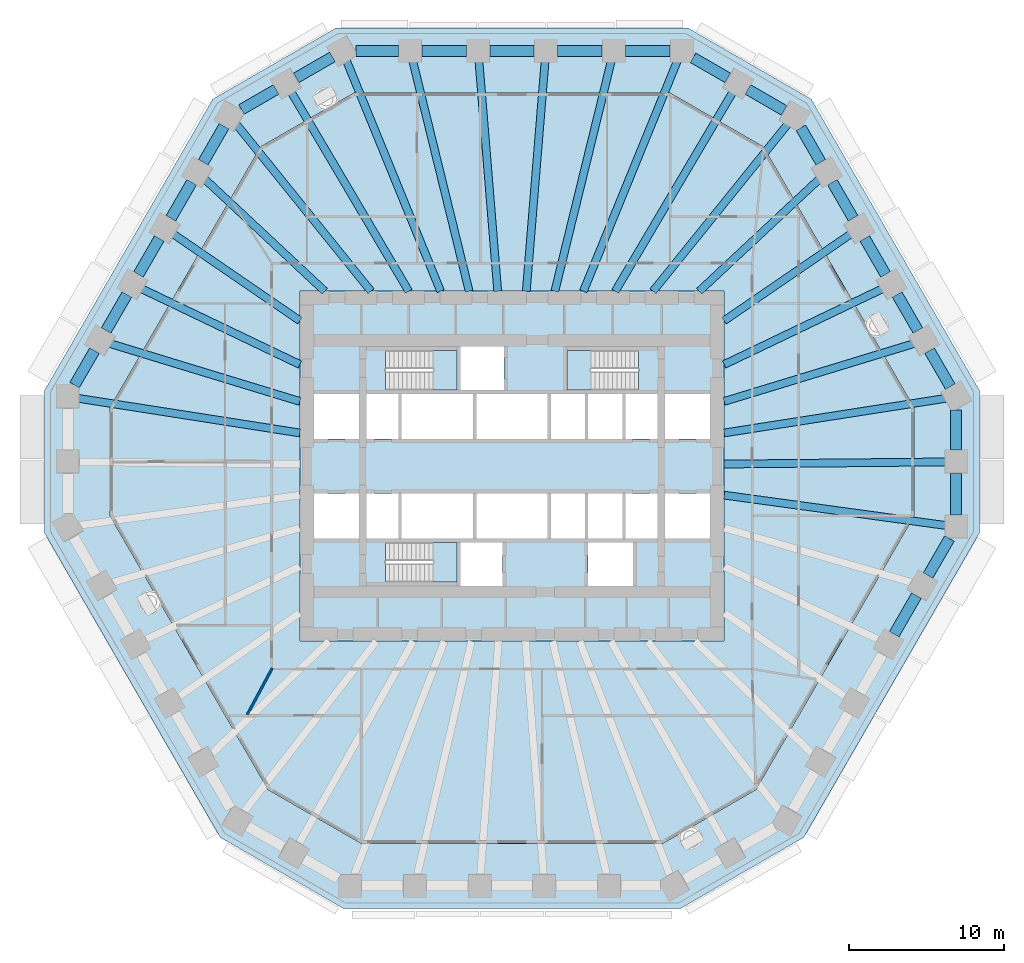
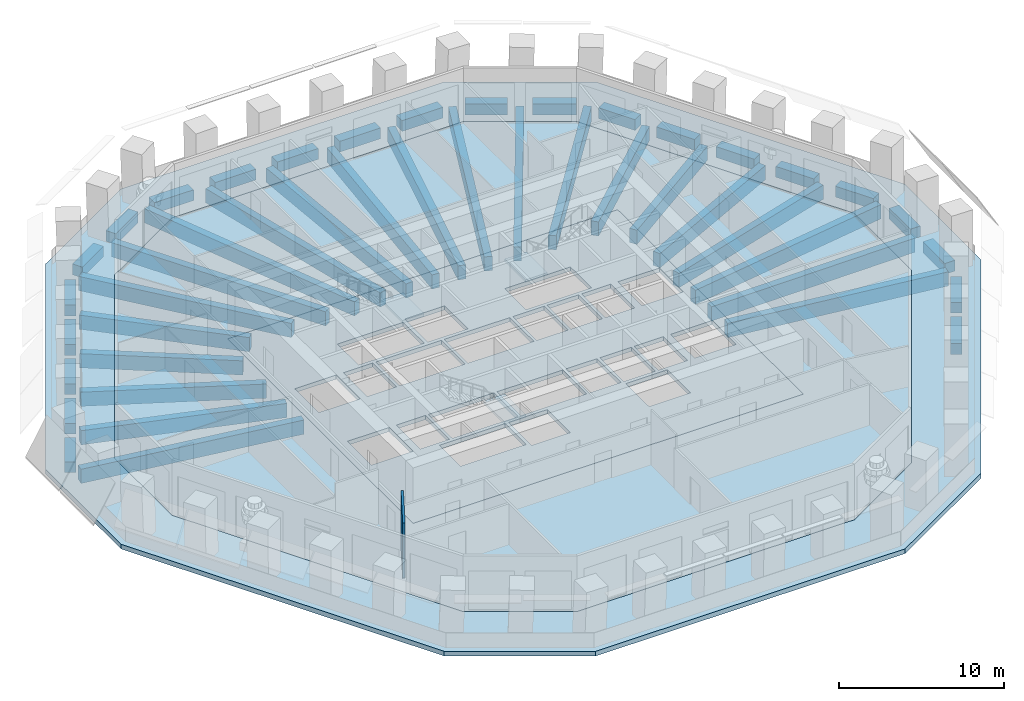
# One storey, part 2 of 13: 45 beams, 6 slabs, 1 wall, 3 elements without a shape of their own.
"""IFC4 building model written with IfcOpenShell, lengths in metres."""

from ifc_helpers import new_model, si_unit, direction, frame, frame_2d, origin, origin_2d, place, context, subcontext, project, spatial, polyline, rectangle, outline, extrude, material, layer, layer_set, material_profile, profile_set, type_object, element, aggregate, save


model = new_model("IFC4")

# Units and contexts
model_context = context("Model", 3, precision=1e-05, world=origin(), true_north=direction((0.0, 1.0)))
body_context = subcontext(model_context, "Body", "Model", "MODEL_VIEW")
ifc_project = project(units=[si_unit("LENGTHUNIT", "METRE"), si_unit("AREAUNIT", "SQUARE_METRE"), si_unit("VOLUMEUNIT", "CUBIC_METRE"), si_unit("PLANEANGLEUNIT", "RADIAN"), si_unit("MASSUNIT", "GRAM", prefix="KILO")], contexts=[model_context])

# Site, building, storey
site_placement = place(None, origin())
site = spatial("IfcSite", under=ifc_project, at=site_placement, CompositionType="ELEMENT")
building_placement = place(site_placement, origin())
building = spatial("IfcBuilding", under=site, at=building_placement, Name="Frailejon Research Tower", CompositionType="ELEMENT")
storey_placement = place(building_placement, frame((0.0, 0.0, 23.39990234375)))
storey = spatial("IfcBuildingStorey", under=building, at=storey_placement, Name="L05", CompositionType="ELEMENT", Elevation=23.39990234375)

# Beams
ifc_material_1 = material(Name="Concrete C60/75", Category="concrete")
ifc_material_profile_1 = material_profile(ifc_material_1, rectangle(XDim=0.5, YDim=1.050048828125, at=origin_2d()), Name="Girder 500x1050")
ifc_profile_set_1 = profile_set([ifc_material_profile_1], Name="Concrete C60/75")
beam_type_1 = type_object("IfcBeamType", Name="Girder 500x1050", PredefinedType="BEAM", material=ifc_profile_set_1)
beam_1_placement = place(storey_placement, frame((27.97119140625, -3.82861328125, -0.824951171875), z_axis=(-0.990762415749, 0.135609127788, 0.0), x_axis=(-0.135609127788, -0.990762415749, 0.0)))
element("IfcBeam", 1, at=beam_1_placement, inside=storey, type_object=beam_type_1, Name="Girder 500x1050", PredefinedType="BEAM", context=body_context, shape_type="SweptSolid", body=[
    extrude(rectangle(XDim=0.5, YDim=1.050048828125, at=origin_2d()), origin(), (0.0, 0.0, 1.0), 14.454833984375),
])
beam_2_placement = place(storey_placement, frame((27.972412109375, 0.270751953125, -0.824951171875), z_axis=(-0.99995313183, -0.009681639459, 0.0), x_axis=(0.009681639459, -0.99995313183, 0.0)))
element("IfcBeam", 2, at=beam_2_placement, inside=storey, type_object=beam_type_1, Name="Girder 500x1050", PredefinedType="BEAM", context=body_context, shape_type="SweptSolid", body=[
    extrude(rectangle(XDim=0.5, YDim=1.050048828125, at=origin_2d()), origin(), (0.0, 0.0, 1.0), 14.3232421875),
])
beam_3_placement = place(storey_placement, frame((27.92626953125, 4.363037109375, -0.824951171875), z_axis=(-0.988014288602, -0.154362448537, 0.0), x_axis=(0.154362448537, -0.988014288602, 0.0)))
element("IfcBeam", 3, at=beam_3_placement, inside=storey, type_object=beam_type_1, Name="Girder 500x1050", PredefinedType="BEAM", context=body_context, shape_type="SweptSolid", body=[
    extrude(rectangle(XDim=0.5, YDim=1.050048828125, at=origin_2d()), origin(), (0.0, 0.0, 1.0), 14.449462890625),
])
beam_4_placement = place(storey_placement, frame((25.8955078125, 7.89306640625, -0.824951171875), z_axis=(-0.95655416162, -0.291554687644, 0.0), x_axis=(0.291554687644, -0.95655416162, 0.0)))
element("IfcBeam", 4, at=beam_4_placement, inside=storey, type_object=beam_type_1, Name="Girder 500x1050", PredefinedType="BEAM", context=body_context, shape_type="SweptSolid", body=[
    extrude(rectangle(XDim=0.5, YDim=1.050048828125, at=origin_2d()), origin(), (0.0, 0.0, 1.0), 12.8017578125),
])
beam_5_placement = place(storey_placement, frame((23.861083984375, 11.42333984375, -0.824951171875), z_axis=(-0.901968467295, -0.431801903662, 0.0), x_axis=(0.431801903662, -0.901968467295, 0.0)))
element("IfcBeam", 5, at=beam_5_placement, inside=storey, type_object=beam_type_1, Name="Girder 500x1050", PredefinedType="BEAM", context=body_context, shape_type="SweptSolid", body=[
    extrude(rectangle(XDim=0.5, YDim=1.050048828125, at=origin_2d()), origin(), (0.0, 0.0, 1.0), 11.321044921875),
])
beam_6_placement = place(storey_placement, frame((21.823486328125, 14.95263671875, -0.824951171875), z_axis=(-0.824947478499, -0.565209392808, 0.0), x_axis=(0.565209392808, -0.824947478499, 0.0)))
element("IfcBeam", 6, at=beam_6_placement, inside=storey, type_object=beam_type_1, Name="Girder 500x1050", PredefinedType="BEAM", context=body_context, shape_type="SweptSolid", body=[
    extrude(rectangle(XDim=0.5, YDim=1.050048828125, at=origin_2d()), origin(), (0.0, 0.0, 1.0), 9.907958984375),
])
beam_7_placement = place(storey_placement, frame((19.783203125, 18.479736328125, -0.824951171875), z_axis=(-0.730763139586, -0.682631111086, 0.0), x_axis=(0.682631111086, -0.730763139586, 0.0)))
element("IfcBeam", 7, at=beam_7_placement, inside=storey, type_object=beam_type_1, Name="Girder 500x1050", PredefinedType="BEAM", context=body_context, shape_type="SweptSolid", body=[
    extrude(rectangle(XDim=0.5, YDim=1.050048828125, at=origin_2d()), origin(), (0.0, 0.0, 1.0), 10.591064453125),
])
beam_8_placement = place(storey_placement, frame((17.77001953125, 22.0380859375, -0.824951171875), z_axis=(-0.627693911193, -0.778460245518, 0.0), x_axis=(0.778460245518, -0.627693911193, 0.0)))
element("IfcBeam", 8, at=beam_8_placement, inside=storey, type_object=beam_type_1, Name="Girder 500x1050", PredefinedType="BEAM", context=body_context, shape_type="SweptSolid", body=[
    extrude(rectangle(XDim=0.5, YDim=1.050048828125, at=origin_2d()), origin(), (0.0, 0.0, 1.0), 13.858154296875),
])
beam_9_placement = place(storey_placement, frame((14.220703125, 24.089599609375, -0.824951171875), z_axis=(-0.508359098726, -0.861145183312, 0.0), x_axis=(0.861145183312, -0.508359098726, 0.0)))
element("IfcBeam", 9, at=beam_9_placement, inside=storey, type_object=beam_type_1, Name="Girder 500x1050", PredefinedType="BEAM", context=body_context, shape_type="SweptSolid", body=[
    extrude(rectangle(XDim=0.5, YDim=1.050048828125, at=origin_2d()), origin(), (0.0, 0.0, 1.0), 14.909912109375),
])
beam_10_placement = place(storey_placement, frame((10.649658203125, 26.0888671875, -0.824951171875), z_axis=(-0.377934036999, -0.925832524638, 0.0), x_axis=(0.925832524638, -0.377934036999, 0.0)))
element("IfcBeam", 10, at=beam_10_placement, inside=storey, type_object=beam_type_1, Name="Girder 500x1050", PredefinedType="BEAM", context=body_context, shape_type="SweptSolid", body=[
    extrude(rectangle(XDim=0.5, YDim=1.050048828125, at=origin_2d()), origin(), (0.0, 0.0, 1.0), 16.027587890625),
])
beam_11_placement = place(storey_placement, frame((6.3916015625, 26.095703125, -0.824951171875), z_axis=(-0.237902558202, -0.971289026398, 0.0), x_axis=(0.971289026398, -0.237902558202, 0.0)))
element("IfcBeam", 11, at=beam_11_placement, inside=storey, type_object=beam_type_1, Name="Girder 500x1050", PredefinedType="BEAM", context=body_context, shape_type="SweptSolid", body=[
    extrude(rectangle(XDim=0.5, YDim=1.050048828125, at=origin_2d()), origin(), (0.0, 0.0, 1.0), 15.284423828125),
])
for number, where, z_axis, x_axis, name in (
    (12, (2.130859375, 26.099609375, -0.824951171875), (-0.08137463311, -0.99668358524, 0.0), (0.99668358524, -0.08137463311, 0.0), "Girder 500x1050"),
    (13, (-2.130859375, 26.099609375, -0.824951171875), (0.08137463311, -0.99668358524, 0.0), (0.99668358524, 0.08137463311, 0.0), "Girder 500x1050"),
):
    element("IfcBeam", number, at=place(storey_placement, frame(where, z_axis=z_axis, x_axis=x_axis)), inside=storey, type_object=beam_type_1, Name=name, PredefinedType="BEAM", context=body_context, shape_type="SweptSolid", body=[
        extrude(rectangle(XDim=0.5, YDim=1.050048828125, at=origin_2d()), origin(), (0.0, 0.0, 1.0), 14.89892578125),
    ])
beam_12_placement = place(storey_placement, frame((-6.3916015625, 26.095703125, -0.824951171875), z_axis=(0.237902558202, -0.971289026398, 0.0), x_axis=(0.971289026398, 0.237902558202, 0.0)))
element("IfcBeam", 14, at=beam_12_placement, inside=storey, type_object=beam_type_1, Name="Girder 500x1050", PredefinedType="BEAM", context=body_context, shape_type="SweptSolid", body=[
    extrude(rectangle(XDim=0.5, YDim=1.050048828125, at=origin_2d()), origin(), (0.0, 0.0, 1.0), 15.284423828125),
])
beam_13_placement = place(storey_placement, frame((-10.669921875, 26.137939453125, -0.824951171875), z_axis=(0.3779463974, -0.925827478903, 0.0), x_axis=(0.925827478903, 0.3779463974, 0.0)))
element("IfcBeam", 15, at=beam_13_placement, inside=storey, type_object=beam_type_1, Name="Girder 500x1050", PredefinedType="BEAM", context=body_context, shape_type="SweptSolid", body=[
    extrude(rectangle(XDim=0.5, YDim=1.050048828125, at=origin_2d()), origin(), (0.0, 0.0, 1.0), 16.08056640625),
])
beam_14_placement = place(storey_placement, frame((-14.220703125, 24.089599609375, -0.824951171875), z_axis=(0.508359098726, -0.861145183312, 0.0), x_axis=(0.861145183312, 0.508359098726, 0.0)))
element("IfcBeam", 16, at=beam_14_placement, inside=storey, type_object=beam_type_1, Name="Girder 500x1050", PredefinedType="BEAM", context=body_context, shape_type="SweptSolid", body=[
    extrude(rectangle(XDim=0.5, YDim=1.050048828125, at=origin_2d()), origin(), (0.0, 0.0, 1.0), 14.909912109375),
])
beam_15_placement = place(storey_placement, frame((-17.74169921875, 22.00341796875, -0.824951171875), z_axis=(0.627677829299, -0.778473212517, 0.0), x_axis=(0.778473212517, 0.627677829299, 0.0)))
element("IfcBeam", 17, at=beam_15_placement, inside=storey, type_object=beam_type_1, Name="Girder 500x1050", PredefinedType="BEAM", context=body_context, shape_type="SweptSolid", body=[
    extrude(rectangle(XDim=0.5, YDim=1.050048828125, at=origin_2d()), origin(), (0.0, 0.0, 1.0), 13.8134765625),
])
beam_16_placement = place(storey_placement, frame((-19.783203125, 18.479736328125, -0.824951171875), z_axis=(0.730763139586, -0.682631111086, 0.0), x_axis=(0.682631111086, 0.730763139586, 0.0)))
element("IfcBeam", 18, at=beam_16_placement, inside=storey, type_object=beam_type_1, Name="Girder 500x1050", PredefinedType="BEAM", context=body_context, shape_type="SweptSolid", body=[
    extrude(rectangle(XDim=0.5, YDim=1.050048828125, at=origin_2d()), origin(), (0.0, 0.0, 1.0), 10.591064453125),
])
beam_17_placement = place(storey_placement, frame((-21.823486328125, 14.95263671875, -0.824951171875), z_axis=(0.824947478499, -0.565209392808, 0.0), x_axis=(0.565209392808, 0.824947478499, 0.0)))
element("IfcBeam", 19, at=beam_17_placement, inside=storey, type_object=beam_type_1, Name="Girder 500x1050", PredefinedType="BEAM", context=body_context, shape_type="SweptSolid", body=[
    extrude(rectangle(XDim=0.5, YDim=1.050048828125, at=origin_2d()), origin(), (0.0, 0.0, 1.0), 9.907958984375),
])
beam_18_placement = place(storey_placement, frame((-23.861083984375, 11.42333984375, -0.824951171875), z_axis=(0.901968467295, -0.431801903662, 0.0), x_axis=(0.431801903662, 0.901968467295, 0.0)))
element("IfcBeam", 20, at=beam_18_placement, inside=storey, type_object=beam_type_1, Name="Girder 500x1050", PredefinedType="BEAM", context=body_context, shape_type="SweptSolid", body=[
    extrude(rectangle(XDim=0.5, YDim=1.050048828125, at=origin_2d()), origin(), (0.0, 0.0, 1.0), 11.321044921875),
])
beam_19_placement = place(storey_placement, frame((-25.8955078125, 7.89306640625, -0.824951171875), z_axis=(0.95655416162, -0.291554687644, 0.0), x_axis=(0.291554687644, 0.95655416162, 0.0)))
element("IfcBeam", 21, at=beam_19_placement, inside=storey, type_object=beam_type_1, Name="Girder 500x1050", PredefinedType="BEAM", context=body_context, shape_type="SweptSolid", body=[
    extrude(rectangle(XDim=0.5, YDim=1.050048828125, at=origin_2d()), origin(), (0.0, 0.0, 1.0), 12.8017578125),
])
beam_20_placement = place(storey_placement, frame((-27.970703125, 4.3701171875, -0.824951171875), z_axis=(0.988012836579, -0.154371742085, 0.0), x_axis=(0.154371742085, 0.988012836579, 0.0)))
element("IfcBeam", 22, at=beam_20_placement, inside=storey, type_object=beam_type_1, Name="Girder 500x1050", PredefinedType="BEAM", context=body_context, shape_type="SweptSolid", body=[
    extrude(rectangle(XDim=0.5, YDim=1.050048828125, at=origin_2d()), origin(), (0.0, 0.0, 1.0), 14.49462890625),
])
ifc_material_2 = material(Name="Concrete C60/75", Category="concrete")
ifc_material_profile_2 = material_profile(ifc_material_2, rectangle(XDim=0.699951171875, YDim=0.800048828125, at=origin_2d()), Name="Spandrel 700x800")
ifc_profile_set_2 = profile_set([ifc_material_profile_2], Name="Concrete C60/75")
beam_type_2 = type_object("IfcBeamType", Name="Spandrel 700x800", PredefinedType="BEAM", material=ifc_profile_set_2)
beam_21_placement = place(storey_placement, frame((28.572509765625, -3.160888671875, -0.75), z_axis=(0.0, 1.0, 0.0), x_axis=(-1.0, 0.0, 0.0)))
element("IfcBeam", 23, at=beam_21_placement, inside=storey, type_object=beam_type_2, Name="Spandrel 700x800", PredefinedType="BEAM", context=body_context, shape_type="SweptSolid", body=[
    extrude(rectangle(XDim=0.699951171875, YDim=0.800048828125, at=origin_2d()), origin(), (0.0, 0.0, 1.0), 2.6875),
])
beam_22_placement = place(storey_placement, frame((28.572509765625, 1.026611328125, -0.75), z_axis=(0.0, 1.0, 0.0), x_axis=(-1.0, 0.0, 0.0)))
element("IfcBeam", 24, at=beam_22_placement, inside=storey, type_object=beam_type_2, Name="Spandrel 700x800", PredefinedType="BEAM", context=body_context, shape_type="SweptSolid", body=[
    extrude(rectangle(XDim=0.699951171875, YDim=0.800048828125, at=origin_2d()), origin(), (0.0, 0.0, 1.0), 2.571533203125),
])
beam_23_placement = place(storey_placement, frame((28.197509765625, 5.113525390625, -0.75), z_axis=(-0.500026055714, 0.866010359988, 0.0), x_axis=(-0.866010359988, -0.500026055714, 0.0)))
element("IfcBeam", 25, at=beam_23_placement, inside=storey, type_object=beam_type_2, Name="Spandrel 700x800", PredefinedType="BEAM", context=body_context, shape_type="SweptSolid", body=[
    extrude(rectangle(XDim=0.699951171875, YDim=0.800048828125, at=origin_2d()), origin(), (0.0, 0.0, 1.0), 2.668212890625),
])
for number, where, z_axis, x_axis, name in (
    (26, (26.11328125, 8.723388671875, -0.75), (-0.499997052475, 0.866027105532, 0.0), (-0.866027105532, -0.499997052475, 0.0), "Spandrel 700x800"),
    (27, (24.029296875, 12.3330078125, -0.75), (-0.499997052475, 0.866027105532, 0.0), (-0.866027105532, -0.499997052475, 0.0), "Spandrel 700x800"),
):
    element("IfcBeam", number, at=place(storey_placement, frame(where, z_axis=z_axis, x_axis=x_axis)), inside=storey, type_object=beam_type_2, Name=name, PredefinedType="BEAM", context=body_context, shape_type="SweptSolid", body=[
        extrude(rectangle(XDim=0.699951171875, YDim=0.800048828125, at=origin_2d()), origin(), (0.0, 0.0, 1.0), 2.66796875),
    ])
beam_24_placement = place(storey_placement, frame((21.9453125, 15.942626953125, -0.75), z_axis=(-0.499957431332, 0.866049979421, 0.0), x_axis=(-0.866049979421, -0.499957431332, 0.0)))
element("IfcBeam", 28, at=beam_24_placement, inside=storey, type_object=beam_type_2, Name="Spandrel 700x800", PredefinedType="BEAM", context=body_context, shape_type="SweptSolid", body=[
    extrude(rectangle(XDim=0.699951171875, YDim=0.800048828125, at=origin_2d()), origin(), (0.0, 0.0, 1.0), 2.668212890625),
])
beam_25_placement = place(storey_placement, frame((19.861328125, 19.55224609375, -0.75), z_axis=(-0.500017793695, 0.866015130346, 0.0), x_axis=(-0.866015130346, -0.500017793695, 0.0)))
element("IfcBeam", 29, at=beam_25_placement, inside=storey, type_object=beam_type_2, Name="Spandrel 700x800", PredefinedType="BEAM", context=body_context, shape_type="SweptSolid", body=[
    extrude(rectangle(XDim=0.699951171875, YDim=0.800048828125, at=origin_2d()), origin(), (0.0, 0.0, 1.0), 2.55224609375),
])
beam_26_placement = place(storey_placement, frame((17.502685546875, 22.887451171875, -0.75), z_axis=(-0.866020687897, 0.500008168067, 0.0), x_axis=(-0.500008168067, -0.866020687897, 0.0)))
element("IfcBeam", 30, at=beam_26_placement, inside=storey, type_object=beam_type_2, Name="Spandrel 700x800", PredefinedType="BEAM", context=body_context, shape_type="SweptSolid", body=[
    extrude(rectangle(XDim=0.699951171875, YDim=0.800048828125, at=origin_2d()), origin(), (0.0, 0.0, 1.0), 2.6875),
])
beam_27_placement = place(storey_placement, frame((13.876220703125, 24.981201171875, -0.75), z_axis=(-0.866008514048, 0.50002925274, 0.0), x_axis=(-0.50002925274, -0.866008514048, 0.0)))
element("IfcBeam", 31, at=beam_27_placement, inside=storey, type_object=beam_type_2, Name="Spandrel 700x800", PredefinedType="BEAM", context=body_context, shape_type="SweptSolid", body=[
    extrude(rectangle(XDim=0.699951171875, YDim=0.800048828125, at=origin_2d()), origin(), (0.0, 0.0, 1.0), 2.571533203125),
])
beam_28_placement = place(storey_placement, frame((10.149169921875, 26.699951171875, -0.75), z_axis=(-1.0, 0.0, 0.0), x_axis=(0.0, -1.0, 0.0)))
element("IfcBeam", 32, at=beam_28_placement, inside=storey, type_object=beam_type_2, Name="Spandrel 700x800", PredefinedType="BEAM", context=body_context, shape_type="SweptSolid", body=[
    extrude(rectangle(XDim=0.699951171875, YDim=0.800048828125, at=origin_2d()), origin(), (0.0, 0.0, 1.0), 2.859619140625),
])
beam_29_placement = place(storey_placement, frame((5.78955078125, 26.699951171875, -0.75), z_axis=(-1.0, 0.0, 0.0), x_axis=(0.0, -1.0, 0.0)))
element("IfcBeam", 33, at=beam_29_placement, inside=storey, type_object=beam_type_2, Name="Spandrel 700x800", PredefinedType="BEAM", context=body_context, shape_type="SweptSolid", body=[
    extrude(rectangle(XDim=0.699951171875, YDim=0.800048828125, at=origin_2d()), origin(), (0.0, 0.0, 1.0), 2.85986328125),
])
beam_30_placement = place(storey_placement, frame((1.4296875, 26.699951171875, -0.75), z_axis=(-1.0, 0.0, 0.0), x_axis=(0.0, -1.0, 0.0)))
element("IfcBeam", 34, at=beam_30_placement, inside=storey, type_object=beam_type_2, Name="Spandrel 700x800", PredefinedType="BEAM", context=body_context, shape_type="SweptSolid", body=[
    extrude(rectangle(XDim=0.699951171875, YDim=0.800048828125, at=origin_2d()), origin(), (0.0, 0.0, 1.0), 2.859375),
])
beam_31_placement = place(storey_placement, frame((-2.9296875, 26.699951171875, -0.75), z_axis=(-1.0, 0.0, 0.0), x_axis=(0.0, -1.0, 0.0)))
element("IfcBeam", 35, at=beam_31_placement, inside=storey, type_object=beam_type_2, Name="Spandrel 700x800", PredefinedType="BEAM", context=body_context, shape_type="SweptSolid", body=[
    extrude(rectangle(XDim=0.699951171875, YDim=0.800048828125, at=origin_2d()), origin(), (0.0, 0.0, 1.0), 2.85986328125),
])
beam_32_placement = place(storey_placement, frame((-7.28955078125, 26.699951171875, -0.75), z_axis=(-1.0, 0.0, 0.0), x_axis=(0.0, -1.0, 0.0)))
element("IfcBeam", 36, at=beam_32_placement, inside=storey, type_object=beam_type_2, Name="Spandrel 700x800", PredefinedType="BEAM", context=body_context, shape_type="SweptSolid", body=[
    extrude(rectangle(XDim=0.699951171875, YDim=0.800048828125, at=origin_2d()), origin(), (0.0, 0.0, 1.0), 2.74365234375),
])
beam_33_placement = place(storey_placement, frame((-11.548583984375, 26.324951171875, -0.75), z_axis=(-0.866043397086, -0.499968833392, 0.0), x_axis=(0.499968833392, -0.866043397086, 0.0)))
element("IfcBeam", 37, at=beam_33_placement, inside=storey, type_object=beam_type_2, Name="Spandrel 700x800", PredefinedType="BEAM", context=body_context, shape_type="SweptSolid", body=[
    extrude(rectangle(XDim=0.699951171875, YDim=0.800048828125, at=origin_2d()), origin(), (0.0, 0.0, 1.0), 2.687744140625),
])
beam_34_placement = place(storey_placement, frame((-15.17529296875, 24.231201171875, -0.75), z_axis=(-0.866008514048, -0.50002925274, 0.0), x_axis=(0.50002925274, -0.866008514048, 0.0)))
element("IfcBeam", 38, at=beam_34_placement, inside=storey, type_object=beam_type_2, Name="Spandrel 700x800", PredefinedType="BEAM", context=body_context, shape_type="SweptSolid", body=[
    extrude(rectangle(XDim=0.699951171875, YDim=0.800048828125, at=origin_2d()), origin(), (0.0, 0.0, 1.0), 2.571533203125),
])
beam_35_placement = place(storey_placement, frame((-18.52734375, 21.86279296875, -0.75), z_axis=(-0.499997052475, -0.866027105532, 0.0), x_axis=(0.866027105532, -0.499997052475, 0.0)))
element("IfcBeam", 39, at=beam_35_placement, inside=storey, type_object=beam_type_2, Name="Spandrel 700x800", PredefinedType="BEAM", context=body_context, shape_type="SweptSolid", body=[
    extrude(rectangle(XDim=0.699951171875, YDim=0.800048828125, at=origin_2d()), origin(), (0.0, 0.0, 1.0), 2.66796875),
])
beam_36_placement = place(storey_placement, frame((-20.611328125, 18.25341796875, -0.75), z_axis=(-0.499957431332, -0.866049979421, 0.0), x_axis=(0.866049979421, -0.499957431332, 0.0)))
element("IfcBeam", 40, at=beam_36_placement, inside=storey, type_object=beam_type_2, Name="Spandrel 700x800", PredefinedType="BEAM", context=body_context, shape_type="SweptSolid", body=[
    extrude(rectangle(XDim=0.699951171875, YDim=0.800048828125, at=origin_2d()), origin(), (0.0, 0.0, 1.0), 2.668212890625),
])
for number, where, z_axis, x_axis, name in (
    (41, (-22.6953125, 14.6435546875, -0.75), (-0.499997052475, -0.866027105532, 0.0), (0.866027105532, -0.499997052475, 0.0), "Spandrel 700x800"),
    (42, (-24.779296875, 11.033935546875, -0.75), (-0.499997052475, -0.866027105532, 0.0), (0.866027105532, -0.499997052475, 0.0), "Spandrel 700x800"),
):
    element("IfcBeam", number, at=place(storey_placement, frame(where, z_axis=z_axis, x_axis=x_axis)), inside=storey, type_object=beam_type_2, Name=name, PredefinedType="BEAM", context=body_context, shape_type="SweptSolid", body=[
        extrude(rectangle(XDim=0.699951171875, YDim=0.800048828125, at=origin_2d()), origin(), (0.0, 0.0, 1.0), 2.66796875),
    ])
beam_37_placement = place(storey_placement, frame((-26.86328125, 7.42431640625, -0.75), z_axis=(-0.500017793695, -0.866015130346, 0.0), x_axis=(0.866015130346, -0.500017793695, 0.0)))
element("IfcBeam", 43, at=beam_37_placement, inside=storey, type_object=beam_type_2, Name="Spandrel 700x800", PredefinedType="BEAM", context=body_context, shape_type="SweptSolid", body=[
    extrude(rectangle(XDim=0.699951171875, YDim=0.800048828125, at=origin_2d()), origin(), (0.0, 0.0, 1.0), 2.55224609375),
])
beam_38_placement = place(storey_placement, frame((24.587890625, -10.812744140625, -0.75), z_axis=(0.499958946799, 0.866049104564, 0.0), x_axis=(-0.866049104564, 0.499958946799, 0.0)))
element("IfcBeam", 44, at=beam_38_placement, inside=storey, type_object=beam_type_2, Name="Spandrel 700x800", PredefinedType="BEAM", context=body_context, shape_type="SweptSolid", body=[
    extrude(rectangle(XDim=0.699951171875, YDim=0.800048828125, at=origin_2d()), origin(), (0.0, 0.0, 1.0), 2.859619140625),
])
beam_39_placement = place(storey_placement, frame((26.767578125, -7.037109375, -0.75), z_axis=(0.499976631314, 0.866038895281, 0.0), x_axis=(-0.866038895281, 0.499976631314, 0.0)))
element("IfcBeam", 45, at=beam_39_placement, inside=storey, type_object=beam_type_2, Name="Spandrel 700x800", PredefinedType="BEAM", context=body_context, shape_type="SweptSolid", body=[
    extrude(rectangle(XDim=0.699951171875, YDim=0.800048828125, at=origin_2d()), origin(), (0.0, 0.0, 1.0), 2.743896484375),
])

# Slabs
ifc_material_3 = material(Name="Concrete C70/85", Category="concrete")
ifc_layer_1 = layer(ifc_material_3, 0.300048828125)
ifc_layer_set_1 = layer_set([ifc_layer_1], Name="Core floor slab 300 C70/85")
slab_type_1 = type_object("IfcSlabType", Name="Core floor slab 300 C70/85", PredefinedType="FLOOR", material=ifc_layer_set_1)
slab_1_placement = place(storey_placement, frame((0.0, 0.0, -0.2998046875)))
element("IfcSlab", 46, at=slab_1_placement, inside=storey, type_object=slab_type_1, Name="Core floor slab", PredefinedType="FLOOR", context=body_context, shape_type="SweptSolid", body=[
    extrude(outline(polyline([(13.64990234375, -11.25), (13.64990234375, 11.25), (-13.64990234375, 11.25), (-13.64990234375, -11.25), (13.64990234375, -11.25)]), holes=[polyline([(-9.85009765625, 1.75), (-9.85009765625, 4.64990234375), (-12.75, 4.64990234375), (-12.75, 1.75), (-9.85009765625, 1.75)]), polyline([(-7.300048828125, 1.75), (-7.300048828125, 4.64990234375), (-9.35009765625, 4.64990234375), (-9.35009765625, 1.75), (-7.300048828125, 1.75)]), polyline([(-2.5, 1.75), (-2.5, 4.64990234375), (-7.10009765625, 4.64990234375), (-7.10009765625, 1.75), (-2.5, 1.75)]), polyline([(2.300048828125, 1.75), (2.300048828125, 4.64990234375), (-2.300048828125, 4.64990234375), (-2.300048828125, 1.75), (2.300048828125, 1.75)]), polyline([(4.699951171875, 1.75), (4.699951171875, 4.64990234375), (2.5, 4.64990234375), (2.5, 1.75), (4.699951171875, 1.75)]), polyline([(7.10009765625, 1.75), (7.10009765625, 4.64990234375), (4.89990234375, 4.64990234375), (4.89990234375, 1.75), (7.10009765625, 1.75)]), polyline([(9.35009765625, 1.75), (9.35009765625, 4.64990234375), (7.300048828125, 4.64990234375), (7.300048828125, 1.75), (9.35009765625, 1.75)]), polyline([(12.75, 1.75), (12.75, 4.64990234375), (9.85009765625, 4.64990234375), (9.85009765625, 1.75), (12.75, 1.75)]), polyline([(-9.85009765625, -4.64990234375), (-9.85009765625, -1.75), (-12.75, -1.75), (-12.75, -4.64990234375), (-9.85009765625, -4.64990234375)]), polyline([(-7.300048828125, -4.64990234375), (-7.300048828125, -1.75), (-9.35009765625, -1.75), (-9.35009765625, -4.64990234375), (-7.300048828125, -4.64990234375)]), polyline([(-2.5, -4.64990234375), (-2.5, -1.75), (-7.10009765625, -1.75), (-7.10009765625, -4.64990234375), (-2.5, -4.64990234375)]), polyline([(2.300048828125, -4.64990234375), (2.300048828125, -1.75), (-2.300048828125, -1.75), (-2.300048828125, -4.64990234375), (2.300048828125, -4.64990234375)]), polyline([(4.699951171875, -4.64990234375), (4.699951171875, -1.75), (2.5, -1.75), (2.5, -4.64990234375), (4.699951171875, -4.64990234375)]), polyline([(7.10009765625, -4.64990234375), (7.10009765625, -1.75), (4.89990234375, -1.75), (4.89990234375, -4.64990234375), (7.10009765625, -4.64990234375)]), polyline([(9.35009765625, -4.64990234375), (9.35009765625, -1.75), (7.300048828125, -1.75), (7.300048828125, -4.64990234375), (9.35009765625, -4.64990234375)]), polyline([(12.75, -4.64990234375), (12.75, -1.75), (9.85009765625, -1.75), (9.85009765625, -4.64990234375), (12.75, -4.64990234375)]), polyline([(-8.14697265625, 4.89990234375), (-3.550048828125, 4.89990234375), (-3.550048828125, 7.449951171875), (-8.14697265625, 7.449951171875), (-8.14697265625, 4.89990234375)]), polyline([(-8.14697265625, -7.449951171875), (-3.550048828125, -7.449951171875), (-3.550048828125, -4.89990234375), (-8.14697265625, -4.89990234375), (-8.14697265625, -7.449951171875)]), polyline([(8.14697265625, 7.449951171875), (3.550048828125, 7.449951171875), (3.550048828125, 4.89990234375), (8.14697265625, 4.89990234375), (8.14697265625, 7.449951171875)]), polyline([(-0.60009765625, -7.699951171875), (-0.60009765625, -4.89990234375), (-3.300048828125, -4.89990234375), (-3.300048828125, -7.699951171875), (-0.60009765625, -7.699951171875)]), polyline([(7.800048828125, -7.699951171875), (7.800048828125, -4.89990234375), (4.89990234375, -4.89990234375), (4.89990234375, -7.699951171875), (7.800048828125, -7.699951171875)]), polyline([(-0.5, 4.89990234375), (-0.5, 7.699951171875), (-3.300048828125, 7.699951171875), (-3.300048828125, 4.89990234375), (-0.5, 4.89990234375)])]), origin(), (0.0, 0.0, 1.0), 0.2998046875),
])
ifc_material_4 = material(Name="Concrete C40/50", Category="concrete")
ifc_layer_2 = layer(ifc_material_4, 0.35009765625)
ifc_layer_set_2 = layer_set([ifc_layer_2], Name="Loggia slab 350")
slab_type_2 = type_object("IfcSlabType", Name="Loggia slab 350", PredefinedType="USERDEFINED", material=ifc_layer_set_2)
slab_2_placement = place(storey_placement, frame((0.0, 0.0, -0.349853515625)))
element("IfcSlab", 47, at=slab_2_placement, inside=storey, type_object=slab_type_2, Name="Loggia slab L05", ObjectType="LOGGIA", PredefinedType="USERDEFINED", context=body_context, shape_type="SweptSolid", body=[
    extrude(outline(polyline([(18.771484375, -23.88720703125), (10.822021484375, -28.4765625), (-10.822021484375, -28.4765625), (-18.771484375, -23.88720703125), (-30.072509765625, -4.31298828125), (-30.072509765625, 4.865966796875), (-19.25048828125, 23.610595703125), (-11.301025390625, 28.199951171875), (11.301025390625, 28.199951171875), (19.25048828125, 23.610595703125), (30.072509765625, 4.865966796875), (30.072509765625, -4.31298828125), (18.771484375, -23.88720703125)]), holes=[polyline([(25.87255859375, 3.74072265625), (16.17578125, 20.535888671875), (10.17578125, 24.0), (-10.17578125, 24.0), (-16.17578125, 20.535888671875), (-25.87255859375, 3.74072265625), (-25.87255859375, -3.1875), (-15.69677734375, -20.8125), (-9.69677734375, -24.276611328125), (9.69677734375, -24.276611328125), (15.69677734375, -20.8125), (25.87255859375, -3.1875), (25.87255859375, 3.74072265625)])]), origin(), (0.0, 0.0, 1.0), 0.349853515625),
])
ifc_material_5 = material(Name="Concrete C40/50", Category="concrete")
ifc_layer_3 = layer(ifc_material_5, 0.300048828125)
ifc_layer_set_3 = layer_set([ifc_layer_3], Name="Slab typical 300")
slab_type_3 = type_object("IfcSlabType", Name="Slab typical 300", PredefinedType="FLOOR", material=ifc_layer_set_3)
slab_3_placement = place(storey_placement, frame((0.0, 0.0, -0.2998046875)))
element("IfcSlab", 48, at=slab_3_placement, inside=storey, type_object=slab_type_3, Name="Floor slab L05", PredefinedType="FLOOR", context=body_context, shape_type="SweptSolid", body=[
    extrude(outline(polyline([(25.87255859375, -3.1875), (25.87255859375, 3.74072265625), (16.17578125, 20.535888671875), (10.17578125, 24.0), (-10.17578125, 24.0), (-16.17578125, 20.535888671875), (-25.87255859375, 3.74072265625), (-25.87255859375, -3.1875), (-15.69677734375, -20.8125), (-9.69677734375, -24.276611328125), (9.69677734375, -24.276611328125), (15.69677734375, -20.8125), (25.87255859375, -3.1875)]), holes=[polyline([(13.64990234375, -11.25), (-13.64990234375, -11.25), (-13.64990234375, 11.25), (13.64990234375, 11.25), (13.64990234375, -11.25)])]), origin(), (0.0, 0.0, 1.0), 0.2998046875),
])

# Stair, slab
ifc_material_6 = material(Name="Concrete C50/60", Category="concrete")
stair_type = type_object("IfcStairType", Name="Exit stair 24 risers", PredefinedType="HALF_TURN_STAIR", material=ifc_material_6)
stair_1_placement = place(storey_placement, origin())
stair_1 = element("IfcStair", 49, at=stair_1_placement, inside=storey, type_object=stair_type, Name="L05 Exit stair ST1", PredefinedType="HALF_TURN_STAIR")
ifc_material_7 = material(Name="Concrete C50/60", Category="concrete")
ifc_layer_4 = layer(ifc_material_7, 0.199951171875)
ifc_layer_set_4 = layer_set([ifc_layer_4], Name="Stair landing slab 200")
slab_type_4 = type_object("IfcSlabType", Name="Stair landing slab 200", PredefinedType="LANDING", material=ifc_layer_set_4)
slab_4_placement = place(storey_placement, frame((0.0, 0.0, 2.0)))
slab_4 = element("IfcSlab", 50, at=slab_4_placement, type_object=slab_type_4, Name="ST1 landing 1", PredefinedType="LANDING", context=body_context, shape_type="SweptSolid", body=[
    extrude(outline(polyline([(-5.070068359375, 4.89990234375), (-3.550048828125, 4.89990234375), (-3.550048828125, 7.449951171875), (-5.070068359375, 7.449951171875), (-5.070068359375, 4.89990234375)])), origin(), (0.0, 0.0, 1.0), 0.2001953125),
])
aggregate(stair_1, [slab_4])

stair_2_placement = place(storey_placement, origin())
stair_2 = element("IfcStair", 51, at=stair_2_placement, inside=storey, type_object=stair_type, Name="L05 Exit stair ST2", PredefinedType="HALF_TURN_STAIR")
slab_5_placement = place(storey_placement, frame((0.0, 0.0, 2.0)))
slab_5 = element("IfcSlab", 52, at=slab_5_placement, type_object=slab_type_4, Name="ST2 landing 1", PredefinedType="LANDING", context=body_context, shape_type="SweptSolid", body=[
    extrude(outline(polyline([(-5.070068359375, -7.449951171875), (-3.550048828125, -7.449951171875), (-3.550048828125, -4.89990234375), (-5.070068359375, -4.89990234375), (-5.070068359375, -7.449951171875)])), origin(), (0.0, 0.0, 1.0), 0.2001953125),
])
aggregate(stair_2, [slab_5])

stair_3_placement = place(storey_placement, origin())
stair_3 = element("IfcStair", 53, at=stair_3_placement, inside=storey, type_object=stair_type, Name="L05 Exit stair ST3", PredefinedType="HALF_TURN_STAIR")
slab_6_placement = place(storey_placement, frame((0.0, 0.0, 2.0)))
slab_6 = element("IfcSlab", 54, at=slab_6_placement, type_object=slab_type_4, Name="ST3 landing 1", PredefinedType="LANDING", context=body_context, shape_type="SweptSolid", body=[
    extrude(outline(polyline([(5.070068359375, 7.449951171875), (3.550048828125, 7.449951171875), (3.550048828125, 4.89990234375), (5.070068359375, 4.89990234375), (5.070068359375, 7.449951171875)])), origin(), (0.0, 0.0, 1.0), 0.2001953125),
])
aggregate(stair_3, [slab_6])

# Wall
ifc_material_8 = material(Name="Gypsum board and masonry partition", Category="masonry")
ifc_layer_5 = layer(ifc_material_8, 0.14990234375)
ifc_layer_set_5 = layer_set([ifc_layer_5], Name="Laboratory partition, blockwork 150")
wall_type = type_object("IfcWallType", Name="Laboratory partition, blockwork 150", PredefinedType="PARTITIONING", material=ifc_layer_set_5)
wall_placement = place(storey_placement, frame((-17.02978515625, -15.98388671875, 0.0), z_axis=(0.0, 0.0, 1.0), x_axis=(0.47412118702, 0.880459595904, 0.0)))
element("IfcWall", 55, at=wall_placement, inside=storey, type_object=wall_type, Name="T:IW:L05:018", PredefinedType="PARTITIONING", context=body_context, shape_type="SweptSolid", body=[
    extrude(rectangle(XDim=3.4072265625, YDim=0.14990234375, at=frame_2d((1.70361328125, 0.0))), origin(), (0.0, 0.0, 1.0), 4.10009765625),
])

save(model, "model.ifc")
